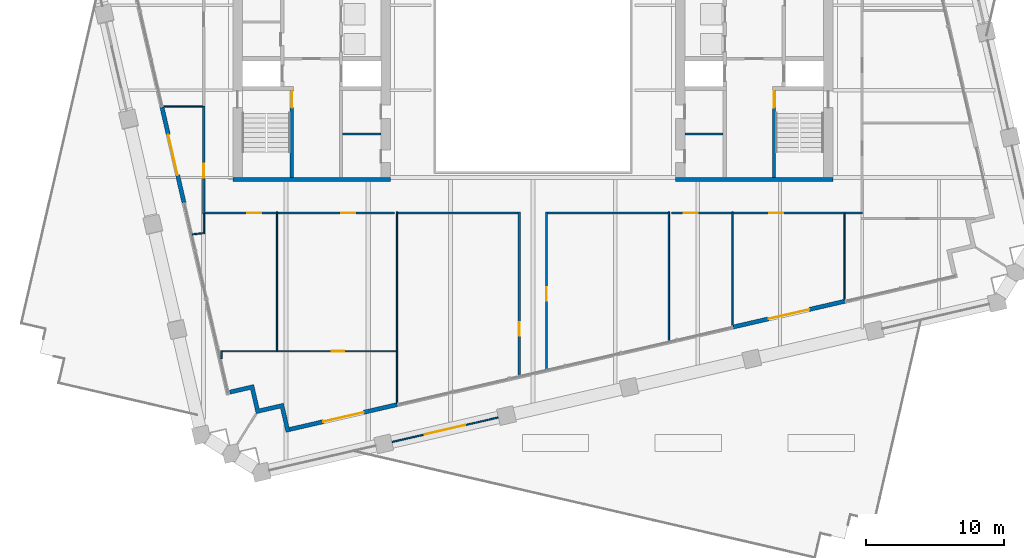
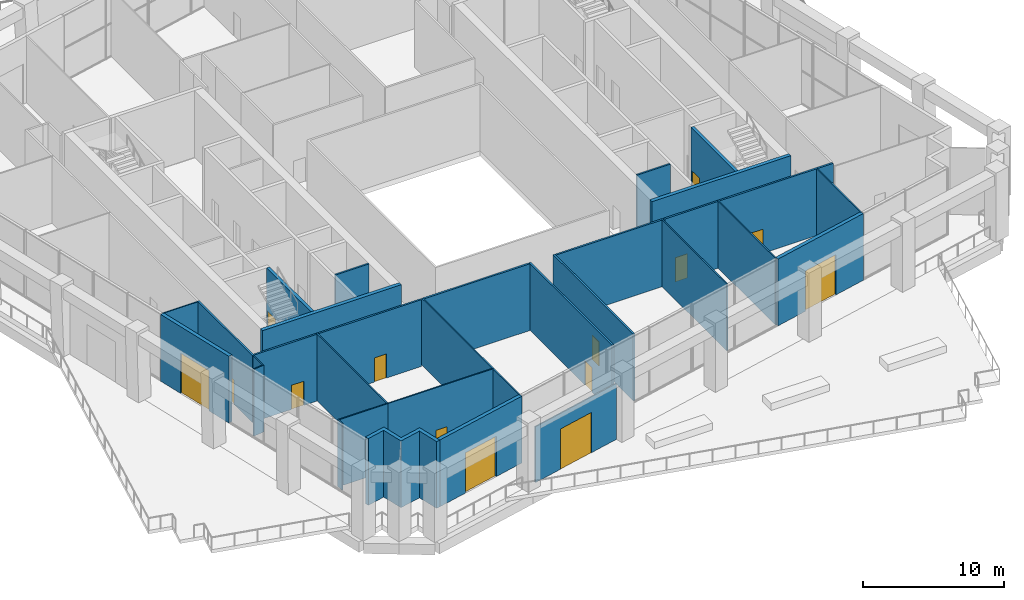
# One storey, part 12 of 24: 33 walls, 14 doors, 14 openings.
"""IFC4 building model written with IfcOpenShell, lengths in metres."""

from ifc_helpers import new_model, si_unit, direction, frame, frame_2d, origin, place, context, subcontext, project, spatial, polyline, rectangle, outline, extrude, material, layer, layer_set, type_object, element, fill, save


model = new_model("IFC4")

# Units and contexts
model_context = context("Model", 3, precision=1e-05, world=origin(), true_north=direction((0.0, 1.0)))
body_context = subcontext(model_context, "Body", "Model", "MODEL_VIEW")
ifc_project = project(units=[si_unit("LENGTHUNIT", "METRE"), si_unit("AREAUNIT", "SQUARE_METRE"), si_unit("VOLUMEUNIT", "CUBIC_METRE"), si_unit("PLANEANGLEUNIT", "RADIAN"), si_unit("MASSUNIT", "GRAM", prefix="KILO")], contexts=[model_context])

# Site, building, storey
site_placement = place(None, origin())
site = spatial("IfcSite", under=ifc_project, at=site_placement, CompositionType="ELEMENT")
building_placement = place(site_placement, origin())
building = spatial("IfcBuilding", under=site, at=building_placement, Name="Ogive Exchange Tower", CompositionType="ELEMENT")
storey_placement = place(building_placement, frame((0.0, 0.0, 165.60009765625)))
storey = spatial("IfcBuildingStorey", under=building, at=storey_placement, Name="L36", CompositionType="ELEMENT", Elevation=165.60009765625)

# Walls
ifc_material_1 = material(Name="Gypsum board partition")
ifc_layer_1 = layer(ifc_material_1, 0.14990234375)
ifc_layer_set_1 = layer_set([ifc_layer_1], Name="Core room partition 150 gypsum")
wall_type_1 = type_object("IfcWallType", Name="Core room partition 150 gypsum", PredefinedType="PARTITIONING", material=ifc_layer_set_1)
for number, where, z_axis, x_axis, name in (
    (1, (-13.75, 0.699951171875, 0.0), (0.0, 0.0, 1.0), (1.0, 0.0, 0.0), "W south room partition"),
    (2, (11.0, 0.699951171875, 0.0), (0.0, 0.0, 1.0), (1.0, 0.0, 0.0), "E south room partition"),
):
    element("IfcWall", number, at=place(storey_placement, frame(where, z_axis=z_axis, x_axis=x_axis)), inside=storey, type_object=wall_type_1, Name=name, PredefinedType="PARTITIONING", context=body_context, shape_type="SweptSolid", body=[
        extrude(rectangle(XDim=2.75, YDim=0.14990234375, at=frame_2d((1.375, 0.0))), origin(), (0.0, 0.0, 1.0), 5.7998046875),
    ])

# Wall, opening, door
ifc_material_2 = material(Name="Fire partition EI 60 150")
ifc_layer_2 = layer(ifc_material_2, 0.14990234375)
ifc_layer_set_2 = layer_set([ifc_layer_2], Name="Fire partition EI 60 150")
wall_type_2 = type_object("IfcWallType", Name="Fire partition EI 60 150", PredefinedType="PARTITIONING", material=ifc_layer_set_2)
wall_1_placement = place(storey_placement, frame((-23.800048828125, -5.074951171875, 0.0), z_axis=(0.0, 0.0, 1.0), x_axis=(0.0, 1.0, 0.0)))
wall_1 = element("IfcWall", 3, at=wall_1_placement, inside=storey, type_object=wall_type_2, Name="L36-PWL-004", PredefinedType="PARTITIONING", context=body_context, shape_type="SweptSolid", body=[
    extrude(rectangle(XDim=7.81494140625, YDim=0.14990234375, at=frame_2d((3.907470703125, 0.0))), origin(), (0.0, 0.0, 1.0), 5.7998046875),
])
opening_1_placement = place(wall_1_placement, frame((2.614990234375, 0.0, 0.0)))
opening_1 = element("IfcOpeningElement", 4, at=opening_1_placement, cuts=wall_1, Name="Opening L36-I10", PredefinedType="OPENING", context=body_context, shape_type="SweptSolid", body=[
    extrude(rectangle(XDim=1.0, YDim=2.10009765625, at=frame_2d((0.5, 1.050048828125))), frame((0.0, 0.0849609375, 0.0), z_axis=(0.0, -1.0, 0.0), x_axis=(1.0, 0.0, 0.0)), (0.0, 0.0, 1.0), 0.169921875),
])
ifc_material_3 = material(Name="Fire door FD 30S 1000 x 2100")
door_type_1 = type_object("IfcDoorType", Name="Fire door FD 30S 1000 x 2100", OperationType="NOTDEFINED", PredefinedType="DOOR", material=ifc_material_3)
door_1_placement = place(opening_1_placement, origin())
door_1 = element("IfcDoor", 5, at=door_1_placement, inside=storey, type_object=door_type_1, Name="L36-IDR-010", ObjectType="DT3", OperationType="SINGLE_SWING_RIGHT", OverallHeight=2.10009765625, OverallWidth=1.0, PredefinedType="DOOR", context=body_context, shape_type="SweptSolid", body=[
    extrude(rectangle(XDim=1.0, YDim=2.10009765625, at=frame_2d((0.5, 1.050048828125))), frame((0.0, 0.02490234375, 0.0), z_axis=(0.0, -1.0, 0.0), x_axis=(1.0, 0.0, 0.0)), (0.0, 0.0, 1.0), 0.050048828125),
])
fill(opening_1, door_1)

wall_2_placement = place(storey_placement, frame((-18.550048828125, -5.0, 0.0), z_axis=(0.0, 0.0, 1.0), x_axis=(-1.0, 0.0, 0.0)))
wall_2 = element("IfcWall", 6, at=wall_2_placement, inside=storey, type_object=wall_type_2, Name="L36-PWL-017", PredefinedType="PARTITIONING", context=body_context, shape_type="SweptSolid", body=[
    extrude(rectangle(XDim=5.1650390625, YDim=0.14990234375, at=frame_2d((2.58251953125, 0.0))), origin(), (0.0, 0.0, 1.0), 5.7998046875),
])
opening_2_placement = place(wall_2_placement, frame((1.090087890625, 0.0, 0.0)))
opening_2 = element("IfcOpeningElement", 7, at=opening_2_placement, cuts=wall_2, Name="Opening L36-I12", PredefinedType="OPENING", context=body_context, shape_type="SweptSolid", body=[
    extrude(rectangle(XDim=1.0, YDim=2.10009765625, at=frame_2d((0.5, 1.050048828125))), frame((0.0, 0.0849609375, 0.0), z_axis=(0.0, -1.0, 0.0), x_axis=(1.0, 0.0, 0.0)), (0.0, 0.0, 1.0), 0.169921875),
])
door_2_placement = place(opening_2_placement, origin())
door_2 = element("IfcDoor", 8, at=door_2_placement, inside=storey, type_object=door_type_1, Name="L36-IDR-012", ObjectType="DT3", OperationType="SINGLE_SWING_RIGHT", OverallHeight=2.10009765625, OverallWidth=1.0, PredefinedType="DOOR", context=body_context, shape_type="SweptSolid", body=[
    extrude(rectangle(XDim=1.0, YDim=2.10009765625, at=frame_2d((0.5, 1.050048828125))), frame((0.0, 0.02490234375, 0.0), z_axis=(0.0, -1.0, 0.0), x_axis=(1.0, 0.0, 0.0)), (0.0, 0.0, 1.0), 0.050048828125),
])
fill(opening_2, door_2)

wall_3_placement = place(storey_placement, frame((-10.0, -5.0, 0.0), z_axis=(0.0, 0.0, 1.0), x_axis=(-1.0, 0.0, 0.0)))
wall_3 = element("IfcWall", 9, at=wall_3_placement, inside=storey, type_object=wall_type_2, Name="L36-PWL-019", PredefinedType="PARTITIONING", context=body_context, shape_type="SweptSolid", body=[
    extrude(rectangle(XDim=8.449951171875, YDim=0.14990234375, at=frame_2d((4.22509765625, 0.0))), origin(), (0.0, 0.0, 1.0), 5.7998046875),
])
opening_3_placement = place(wall_3_placement, frame((2.85009765625, 0.0, 0.0)))
opening_3 = element("IfcOpeningElement", 10, at=opening_3_placement, cuts=wall_3, Name="Opening L36-I11", PredefinedType="OPENING", context=body_context, shape_type="SweptSolid", body=[
    extrude(rectangle(XDim=1.0, YDim=2.10009765625, at=frame_2d((0.5, 1.050048828125))), frame((0.0, 0.0849609375, 0.0), z_axis=(0.0, -1.0, 0.0), x_axis=(1.0, 0.0, 0.0)), (0.0, 0.0, 1.0), 0.169921875),
])
door_3_placement = place(opening_3_placement, origin())
door_3 = element("IfcDoor", 11, at=door_3_placement, inside=storey, type_object=door_type_1, Name="L36-IDR-011", ObjectType="DT3", OperationType="SINGLE_SWING_RIGHT", OverallHeight=2.10009765625, OverallWidth=1.0, PredefinedType="DOOR", context=body_context, shape_type="SweptSolid", body=[
    extrude(rectangle(XDim=1.0, YDim=2.10009765625, at=frame_2d((0.5, 1.050048828125))), frame((0.0, 0.02490234375, 0.0), z_axis=(0.0, -1.0, 0.0), x_axis=(1.0, 0.0, 0.0)), (0.0, 0.0, 1.0), 0.050048828125),
])
fill(opening_3, door_3)

wall_4_placement = place(storey_placement, frame((-0.989990234375, -16.7529296875, 0.0), z_axis=(0.0, 0.0, 1.0), x_axis=(0.0, 1.0, 0.0)))
wall_4 = element("IfcWall", 12, at=wall_4_placement, inside=storey, type_object=wall_type_2, Name="L36-PWL-033", PredefinedType="PARTITIONING", context=body_context, shape_type="SweptSolid", body=[
    extrude(rectangle(XDim=11.827880859375, YDim=0.14990234375, at=frame_2d((5.9140625, 0.0))), origin(), (0.0, 0.0, 1.0), 5.7998046875),
])
opening_4_placement = place(wall_4_placement, frame((2.85302734375, 0.0, 0.0)))
opening_4 = element("IfcOpeningElement", 13, at=opening_4_placement, cuts=wall_4, Name="Opening L36-I09", PredefinedType="OPENING", context=body_context, shape_type="SweptSolid", body=[
    extrude(rectangle(XDim=1.0, YDim=2.10009765625, at=frame_2d((0.5, 1.050048828125))), frame((0.0, 0.0849609375, 0.0), z_axis=(0.0, -1.0, 0.0), x_axis=(1.0, 0.0, 0.0)), (0.0, 0.0, 1.0), 0.169921875),
])
door_4_placement = place(opening_4_placement, origin())
door_4 = element("IfcDoor", 14, at=door_4_placement, inside=storey, type_object=door_type_1, Name="L36-IDR-009", ObjectType="DT3", OperationType="SINGLE_SWING_LEFT", OverallHeight=2.10009765625, OverallWidth=1.0, PredefinedType="DOOR", context=body_context, shape_type="SweptSolid", body=[
    extrude(rectangle(XDim=1.0, YDim=2.10009765625, at=frame_2d((0.5, 1.050048828125))), frame((0.0, 0.02490234375, 0.0), z_axis=(0.0, -1.0, 0.0), x_axis=(1.0, 0.0, 0.0)), (0.0, 0.0, 1.0), 0.050048828125),
])
fill(opening_4, door_4)

# Wall
wall_5_placement = place(storey_placement, frame((-1.06494140625, -5.0, 0.0), z_axis=(0.0, 0.0, 1.0), x_axis=(-1.0, 0.0, 0.0)))
element("IfcWall", 15, at=wall_5_placement, inside=storey, type_object=wall_type_2, Name="L36-PWL-034", PredefinedType="PARTITIONING", context=body_context, shape_type="SweptSolid", body=[
    extrude(rectangle(XDim=8.715087890625, YDim=0.14990234375, at=frame_2d((4.357421875, 0.0))), origin(), (0.0, 0.0, 1.0), 5.7998046875),
])

# Wall, opening, door
wall_6_placement = place(storey_placement, frame((0.989990234375, -4.925048828125, 0.0), z_axis=(0.0, 0.0, 1.0), x_axis=(0.0, -1.0, 0.0)))
wall_6 = element("IfcWall", 16, at=wall_6_placement, inside=storey, type_object=wall_type_2, Name="L36-PWL-038", PredefinedType="PARTITIONING", context=body_context, shape_type="SweptSolid", body=[
    extrude(rectangle(XDim=11.370849609375, YDim=0.14990234375, at=frame_2d((5.685546875, 0.0))), origin(), (0.0, 0.0, 1.0), 5.7998046875),
])
opening_5_placement = place(wall_6_placement, frame((5.445068359375, 0.0, 0.0)))
opening_5 = element("IfcOpeningElement", 17, at=opening_5_placement, cuts=wall_6, Name="Opening L36-I16", PredefinedType="OPENING", context=body_context, shape_type="SweptSolid", body=[
    extrude(rectangle(XDim=1.0, YDim=2.10009765625, at=frame_2d((0.5, 1.050048828125))), frame((0.0, 0.0849609375, 0.0), z_axis=(0.0, -1.0, 0.0), x_axis=(1.0, 0.0, 0.0)), (0.0, 0.0, 1.0), 0.169921875),
])
door_5_placement = place(opening_5_placement, origin())
door_5 = element("IfcDoor", 18, at=door_5_placement, inside=storey, type_object=door_type_1, Name="L36-IDR-016", ObjectType="DT3", OperationType="SINGLE_SWING_LEFT", OverallHeight=2.10009765625, OverallWidth=1.0, PredefinedType="DOOR", context=body_context, shape_type="SweptSolid", body=[
    extrude(rectangle(XDim=1.0, YDim=2.10009765625, at=frame_2d((0.5, 1.050048828125))), frame((0.0, 0.02490234375, 0.0), z_axis=(0.0, -1.0, 0.0), x_axis=(1.0, 0.0, 0.0)), (0.0, 0.0, 1.0), 0.050048828125),
])
fill(opening_5, door_5)

# Wall
wall_7_placement = place(storey_placement, frame((9.780029296875, -5.0, 0.0), z_axis=(0.0, 0.0, 1.0), x_axis=(-1.0, 0.0, 0.0)))
element("IfcWall", 19, at=wall_7_placement, inside=storey, type_object=wall_type_2, Name="L36-PWL-048", PredefinedType="PARTITIONING", context=body_context, shape_type="SweptSolid", body=[
    extrude(rectangle(XDim=8.715087890625, YDim=0.14990234375, at=frame_2d((4.357421875, 0.0))), origin(), (0.0, 0.0, 1.0), 5.7998046875),
])

# Wall, opening, door
wall_8_placement = place(storey_placement, frame((14.3798828125, -5.0, 0.0), z_axis=(0.0, 0.0, 1.0), x_axis=(-1.0, 0.0, 0.0)))
wall_8 = element("IfcWall", 20, at=wall_8_placement, inside=storey, type_object=wall_type_2, Name="L36-PWL-051", PredefinedType="PARTITIONING", context=body_context, shape_type="SweptSolid", body=[
    extrude(rectangle(XDim=4.3798828125, YDim=0.14990234375, at=frame_2d((2.18994140625, 0.0))), origin(), (0.0, 0.0, 1.0), 5.7998046875),
])
opening_6_placement = place(wall_8_placement, frame((2.47998046875, 0.0, 0.0)))
opening_6 = element("IfcOpeningElement", 21, at=opening_6_placement, cuts=wall_8, Name="Opening L36-I15", PredefinedType="OPENING", context=body_context, shape_type="SweptSolid", body=[
    extrude(rectangle(XDim=1.0, YDim=2.10009765625, at=frame_2d((0.5, 1.050048828125))), frame((0.0, 0.0849609375, 0.0), z_axis=(0.0, -1.0, 0.0), x_axis=(1.0, 0.0, 0.0)), (0.0, 0.0, 1.0), 0.169921875),
])
door_6_placement = place(opening_6_placement, origin())
door_6 = element("IfcDoor", 22, at=door_6_placement, inside=storey, type_object=door_type_1, Name="L36-IDR-015", ObjectType="DT3", OperationType="SINGLE_SWING_LEFT", OverallHeight=2.10009765625, OverallWidth=1.0, PredefinedType="DOOR", context=body_context, shape_type="SweptSolid", body=[
    extrude(rectangle(XDim=1.0, YDim=2.10009765625, at=frame_2d((0.5, 1.050048828125))), frame((0.0, 0.02490234375, 0.0), z_axis=(0.0, -1.0, 0.0), x_axis=(1.0, 0.0, 0.0)), (0.0, 0.0, 1.0), 0.050048828125),
])
fill(opening_6, door_6)

wall_9_placement = place(storey_placement, frame((22.570068359375, -5.0, 0.0), z_axis=(0.0, 0.0, 1.0), x_axis=(-1.0, 0.0, 0.0)))
wall_9 = element("IfcWall", 23, at=wall_9_placement, inside=storey, type_object=wall_type_2, Name="L36-PWL-059", PredefinedType="PARTITIONING", context=body_context, shape_type="SweptSolid", body=[
    extrude(rectangle(XDim=8.090087890625, YDim=0.14990234375, at=frame_2d((4.044921875, 0.0))), origin(), (0.0, 0.0, 1.0), 5.7998046875),
])
opening_7_placement = place(wall_9_placement, frame((4.489990234375, 0.0, 0.0)))
opening_7 = element("IfcOpeningElement", 24, at=opening_7_placement, cuts=wall_9, Name="Opening L36-I14", PredefinedType="OPENING", context=body_context, shape_type="SweptSolid", body=[
    extrude(rectangle(XDim=1.0, YDim=2.10009765625, at=frame_2d((0.5, 1.050048828125))), frame((0.0, 0.0849609375, 0.0), z_axis=(0.0, -1.0, 0.0), x_axis=(1.0, 0.0, 0.0)), (0.0, 0.0, 1.0), 0.169921875),
])
door_7_placement = place(opening_7_placement, origin())
door_7 = element("IfcDoor", 25, at=door_7_placement, inside=storey, type_object=door_type_1, Name="L36-IDR-014", ObjectType="DT3", OperationType="SINGLE_SWING_LEFT", OverallHeight=2.10009765625, OverallWidth=1.0, PredefinedType="DOOR", context=body_context, shape_type="SweptSolid", body=[
    extrude(rectangle(XDim=1.0, YDim=2.10009765625, at=frame_2d((0.5, 1.050048828125))), frame((0.0, 0.02490234375, 0.0), z_axis=(0.0, -1.0, 0.0), x_axis=(1.0, 0.0, 0.0)), (0.0, 0.0, 1.0), 0.050048828125),
])
fill(opening_7, door_7)

# Wall
wall_10_placement = place(storey_placement, frame((23.840087890625, -5.0, 0.0), z_axis=(0.0, 0.0, 1.0), x_axis=(-1.0, 0.0, 0.0)))
element("IfcWall", 26, at=wall_10_placement, inside=storey, type_object=wall_type_2, Name="L36-PWL-065", PredefinedType="PARTITIONING", context=body_context, shape_type="SweptSolid", body=[
    extrude(rectangle(XDim=1.27001953125, YDim=0.14990234375, at=frame_2d((0.635009765625, 0.0))), origin(), (0.0, 0.0, 1.0), 5.7998046875),
])

# Wall, opening, door
ifc_material_4 = material(Name="Precast concrete C40/50", Category="concrete")
ifc_layer_3 = layer(ifc_material_4, 0.300048828125)
ifc_layer_set_3 = layer_set([ifc_layer_3], Name="Limestone-faced wall 300")
wall_type_3 = type_object("IfcWallType", Name="Limestone-faced wall 300", PredefinedType="STANDARD", material=ifc_layer_set_3)
wall_11_placement = place(storey_placement, frame((-17.592041015625, -20.6572265625, 0.0), z_axis=(0.0, 0.0, 1.0), x_axis=(0.974371132389, 0.224946429994, 0.0)))
wall_11 = element("IfcWall", 27, at=wall_11_placement, inside=storey, type_object=wall_type_3, Name="External wall S1", PredefinedType="STANDARD", context=body_context, shape_type="SweptSolid", body=[
    extrude(rectangle(XDim=8.0, YDim=0.300048828125, at=frame_2d((4.0, 0.0))), origin(), (0.0, 0.0, 1.0), 5.7998046875),
])
opening_8_placement = place(wall_11_placement, frame((2.5, 0.0, 0.0)))
opening_8 = element("IfcOpeningElement", 28, at=opening_8_placement, cuts=wall_11, Name="Opening D2", PredefinedType="OPENING", context=body_context, shape_type="SweptSolid", body=[
    extrude(rectangle(XDim=3.0, YDim=3.5, at=frame_2d((1.5, 1.75))), frame((0.0, 0.159912109375, 0.0), z_axis=(0.0, -1.0, 0.0), x_axis=(1.0, 0.0, 0.0)), (0.0, 0.0, 1.0), 0.320068359375),
])
ifc_material_5 = material(Name="Clear glass in bronze frame", Category="glass")
door_type_2 = type_object("IfcDoorType", Name="Winter garden sliding door 3000 x 3500", OperationType="DOUBLE_DOOR_SLIDING", PredefinedType="DOOR", material=ifc_material_5)
door_8_placement = place(opening_8_placement, origin())
door_8 = element("IfcDoor", 29, at=door_8_placement, inside=storey, type_object=door_type_2, Name="Loggia door S00", OperationType="DOUBLE_DOOR_SLIDING", OverallHeight=3.5, OverallWidth=3.0, PredefinedType="DOOR", context=body_context, shape_type="SweptSolid", body=[
    extrude(rectangle(XDim=3.0, YDim=3.5, at=frame_2d((1.5, 1.75))), frame((0.0, 0.02490234375, 0.0), z_axis=(0.0, -1.0, 0.0), x_axis=(1.0, 0.0, 0.0)), (0.0, 0.0, 1.0), 0.050048828125),
])
fill(opening_8, door_8)

wall_12_placement = place(storey_placement, frame((14.464599609375, -13.25634765625, 0.0), z_axis=(0.0, 0.0, 1.0), x_axis=(0.974368386566, 0.224958323385, 0.0)))
wall_12 = element("IfcWall", 30, at=wall_12_placement, inside=storey, type_object=wall_type_3, Name="External wall S2", PredefinedType="STANDARD", context=body_context, shape_type="SweptSolid", body=[
    extrude(rectangle(XDim=8.300048828125, YDim=0.300048828125, at=frame_2d((4.14990234375, 0.0))), origin(), (0.0, 0.0, 1.0), 5.7998046875),
])
opening_9_placement = place(wall_12_placement, frame((2.64990234375, 0.0, 0.0)))
opening_9 = element("IfcOpeningElement", 31, at=opening_9_placement, cuts=wall_12, Name="Opening D2", PredefinedType="OPENING", context=body_context, shape_type="SweptSolid", body=[
    extrude(rectangle(XDim=3.0, YDim=3.5, at=frame_2d((1.5, 1.75))), frame((0.0, 0.159912109375, 0.0), z_axis=(0.0, -1.0, 0.0), x_axis=(1.0, 0.0, 0.0)), (0.0, 0.0, 1.0), 0.320068359375),
])
door_9_placement = place(opening_9_placement, origin())
door_9 = element("IfcDoor", 32, at=door_9_placement, inside=storey, type_object=door_type_2, Name="Loggia door S04", OperationType="DOUBLE_DOOR_SLIDING", OverallHeight=3.5, OverallWidth=3.0, PredefinedType="DOOR", context=body_context, shape_type="SweptSolid", body=[
    extrude(rectangle(XDim=3.0, YDim=3.5, at=frame_2d((1.5, 1.75))), frame((0.0, 0.02490234375, 0.0), z_axis=(0.0, -1.0, 0.0), x_axis=(1.0, 0.0, 0.0)), (0.0, 0.0, 1.0), 0.050048828125),
])
fill(opening_9, door_9)

wall_13_placement = place(storey_placement, frame((-26.8232421875, 2.65673828125, 0.0), z_axis=(0.0, 0.0, 1.0), x_axis=(0.22494221161, -0.974372106249, 0.0)))
wall_13 = element("IfcWall", 33, at=wall_13_placement, inside=storey, type_object=wall_type_3, Name="External wall W8", PredefinedType="STANDARD", context=body_context, shape_type="SweptSolid", body=[
    extrude(rectangle(XDim=7.114501953125, YDim=0.300048828125, at=frame_2d((3.55712890625, 0.0))), origin(), (0.0, 0.0, 1.0), 5.7998046875),
])
opening_10_placement = place(wall_13_placement, frame((2.05712890625, 0.0, 0.0)))
opening_10 = element("IfcOpeningElement", 34, at=opening_10_placement, cuts=wall_13, Name="Opening D2", PredefinedType="OPENING", context=body_context, shape_type="SweptSolid", body=[
    extrude(rectangle(XDim=3.0, YDim=3.5, at=frame_2d((1.5, 1.75))), frame((0.0, 0.159912109375, 0.0), z_axis=(0.0, -1.0, 0.0), x_axis=(1.0, 0.0, 0.0)), (0.0, 0.0, 1.0), 0.320068359375),
])
door_10_placement = place(opening_10_placement, origin())
door_10 = element("IfcDoor", 35, at=door_10_placement, inside=storey, type_object=door_type_2, Name="Loggia door W04", OperationType="DOUBLE_DOOR_SLIDING", OverallHeight=3.5, OverallWidth=3.0, PredefinedType="DOOR", context=body_context, shape_type="SweptSolid", body=[
    extrude(rectangle(XDim=3.0, YDim=3.5, at=frame_2d((1.5, 1.75))), frame((0.0, 0.02490234375, 0.0), z_axis=(0.0, -1.0, 0.0), x_axis=(1.0, 0.0, 0.0)), (0.0, 0.0, 1.0), 0.050048828125),
])
fill(opening_10, door_10)

# Wall
wall_14_placement = place(storey_placement, origin())
element("IfcWall", 36, at=wall_14_placement, inside=storey, type_object=wall_type_3, Name="External corner wall C4", PredefinedType="STANDARD", context=body_context, shape_type="SweptSolid", body=[
    extrude(outline(polyline([(-18.255615234375, -19.116943359375), (-20.009521484375, -19.52197265625), (-20.414306640625, -17.76806640625), (-21.8759765625, -18.10546875), (-21.943359375, -17.81298828125), (-20.189697265625, -17.408203125), (-19.78466796875, -19.162109375), (-18.03076171875, -18.757080078125), (-17.558349609375, -20.80322265625), (-17.8505859375, -20.870849609375), (-18.255615234375, -19.116943359375)])), origin(), (0.0, 0.0, 1.0), 5.7998046875),
])

# Wall, opening, door
ifc_material_6 = material(Name="Laminated safety glass in steel frame", Category="steel")
ifc_layer_4 = layer(ifc_material_6, 0.10009765625)
ifc_layer_set_4 = layer_set([ifc_layer_4], Name="Loggia end screen 100")
wall_type_4 = type_object("IfcWallType", Name="Loggia end screen 100", PredefinedType="STANDARD", material=ifc_layer_set_4)
wall_15_placement = place(storey_placement, frame((-10.178466796875, -21.562744140625, 0.0), z_axis=(0.0, 0.0, 1.0), x_axis=(0.974370774795, 0.22494797893, 0.0)))
wall_15 = element("IfcWall", 37, at=wall_15_placement, inside=storey, type_object=wall_type_4, Name="Terrace screen S01", PredefinedType="STANDARD", context=body_context, shape_type="SweptSolid", body=[
    extrude(rectangle(XDim=7.85986328125, YDim=0.10009765625, at=frame_2d((3.929931640625, 0.0))), origin(), (0.0, 0.0, 1.0), 4.849853515625),
])
opening_11_placement = place(wall_15_placement, frame((2.429931640625, 0.0, 0.0)))
opening_11 = element("IfcOpeningElement", 38, at=opening_11_placement, cuts=wall_15, Name="Opening D4", PredefinedType="OPENING", context=body_context, shape_type="SweptSolid", body=[
    extrude(rectangle(XDim=3.0, YDim=3.5, at=frame_2d((1.5, 1.75))), frame((0.0, 0.06005859375, 0.0), z_axis=(0.0, -1.0, 0.0), x_axis=(1.0, 0.0, 0.0)), (0.0, 0.0, 1.0), 0.1201171875),
])
door_type_3 = type_object("IfcDoorType", Name="Terrace sliding door 3000 x 3500", OperationType="DOUBLE_DOOR_SLIDING", PredefinedType="DOOR", material=ifc_material_5)
door_11_placement = place(opening_11_placement, origin())
door_11 = element("IfcDoor", 39, at=door_11_placement, inside=storey, type_object=door_type_3, Name="Terrace door S01", OperationType="DOUBLE_DOOR_SLIDING", OverallHeight=3.5, OverallWidth=3.0, PredefinedType="DOOR", context=body_context, shape_type="SweptSolid", body=[
    extrude(rectangle(XDim=3.0, YDim=3.5, at=frame_2d((1.5, 1.75))), frame((0.0, 0.02490234375, 0.0), z_axis=(0.0, -1.0, 0.0), x_axis=(1.0, 0.0, 0.0)), (0.0, 0.0, 1.0), 0.050048828125),
])
fill(opening_11, door_11)

# Walls
ifc_material_7 = material(Name="Partition 100 gypsum")
ifc_layer_5 = layer(ifc_material_7, 0.10009765625)
ifc_layer_set_5 = layer_set([ifc_layer_5], Name="Partition 100 gypsum")
wall_type_5 = type_object("IfcWallType", Name="Partition 100 gypsum", PredefinedType="PARTITIONING", material=ifc_layer_set_5)
wall_16_placement = place(storey_placement, frame((-24.625, -6.555908203125, 0.0), z_axis=(0.0, 0.0, 1.0), x_axis=(0.993448484477, 0.114280832559, 0.0)))
element("IfcWall", 40, at=wall_16_placement, inside=storey, type_object=wall_type_5, Name="L36-PWL-003", PredefinedType="PARTITIONING", context=body_context, shape_type="SweptSolid", body=[
    extrude(rectangle(XDim=0.890869140625, YDim=0.10009765625, at=frame_2d((0.4453125, 0.0))), origin(), (0.0, 0.0, 1.0), 5.7998046875),
])
wall_17_placement = place(storey_placement, frame((-23.875, 2.68994140625, 0.0), z_axis=(0.0, 0.0, 1.0), x_axis=(-1.0, 0.0, 0.0)))
element("IfcWall", 41, at=wall_17_placement, inside=storey, type_object=wall_type_5, Name="L36-PWL-005", PredefinedType="PARTITIONING", context=body_context, shape_type="SweptSolid", body=[
    extrude(rectangle(XDim=2.885009765625, YDim=0.10009765625, at=frame_2d((1.4423828125, 0.0))), origin(), (0.0, 0.0, 1.0), 5.7998046875),
])
wall_18_placement = place(storey_placement, frame((-23.7900390625, -5.074951171875, 0.0), z_axis=(0.0, 0.0, 1.0), x_axis=(0.0, -1.0, 0.0)))
element("IfcWall", 42, at=wall_18_placement, inside=storey, type_object=wall_type_5, Name="L36-PWL-010", PredefinedType="PARTITIONING", context=body_context, shape_type="SweptSolid", body=[
    extrude(rectangle(XDim=1.3349609375, YDim=0.10009765625, at=frame_2d((0.66748046875, 0.0))), origin(), (0.0, 0.0, 1.0), 5.7998046875),
])
wall_19_placement = place(storey_placement, frame((-22.52001953125, -14.949951171875, 0.0), z_axis=(0.0, 0.0, 1.0), x_axis=(0.0, -1.0, 0.0)))
element("IfcWall", 43, at=wall_19_placement, inside=storey, type_object=wall_type_5, Name="L36-PWL-011", PredefinedType="PARTITIONING", context=body_context, shape_type="SweptSolid", body=[
    extrude(rectangle(XDim=0.610107421875, YDim=0.10009765625, at=frame_2d((0.30517578125, 0.0))), origin(), (0.0, 0.0, 1.0), 5.7998046875),
])
wall_20_placement = place(storey_placement, frame((-18.5, -15.0, 0.0), z_axis=(0.0, 0.0, 1.0), x_axis=(-1.0, 0.0, 0.0)))
element("IfcWall", 44, at=wall_20_placement, inside=storey, type_object=wall_type_5, Name="L36-PWL-015", PredefinedType="PARTITIONING", context=body_context, shape_type="SweptSolid", body=[
    extrude(rectangle(XDim=3.969970703125, YDim=0.10009765625, at=frame_2d((1.98486328125, 0.0))), origin(), (0.0, 0.0, 1.0), 5.7998046875),
])
wall_21_placement = place(storey_placement, frame((-18.5, -14.949951171875, 0.0), z_axis=(0.0, 0.0, 1.0), x_axis=(0.0, 1.0, 0.0)))
element("IfcWall", 45, at=wall_21_placement, inside=storey, type_object=wall_type_5, Name="L36-PWL-016", PredefinedType="PARTITIONING", context=body_context, shape_type="SweptSolid", body=[
    extrude(rectangle(XDim=10.02490234375, YDim=0.10009765625, at=frame_2d((5.012451171875, 0.0))), origin(), (0.0, 0.0, 1.0), 5.7998046875),
])
wall_22_placement = place(storey_placement, frame((-9.830078125, -18.7939453125, 0.0), z_axis=(0.0, 0.0, 1.0), x_axis=(0.0, 1.0, 0.0)))
element("IfcWall", 46, at=wall_22_placement, inside=storey, type_object=wall_type_5, Name="L36-PWL-022", PredefinedType="PARTITIONING", context=body_context, shape_type="SweptSolid", body=[
    extrude(rectangle(XDim=3.7939453125, YDim=0.10009765625, at=frame_2d((1.89697265625, 0.0))), origin(), (0.0, 0.0, 1.0), 5.7998046875),
])

# Wall, opening, door
wall_23_placement = place(storey_placement, frame((-9.8798828125, -15.0, 0.0), z_axis=(0.0, 0.0, 1.0), x_axis=(-1.0, 0.0, 0.0)))
wall_23 = element("IfcWall", 47, at=wall_23_placement, inside=storey, type_object=wall_type_5, Name="L36-PWL-023", PredefinedType="PARTITIONING", context=body_context, shape_type="SweptSolid", body=[
    extrude(rectangle(XDim=8.6201171875, YDim=0.10009765625, at=frame_2d((4.31005859375, 0.0))), origin(), (0.0, 0.0, 1.0), 5.7998046875),
])
opening_12_placement = place(wall_23_placement, frame((3.77001953125, 0.0, 0.0)))
opening_12 = element("IfcOpeningElement", 48, at=opening_12_placement, cuts=wall_23, Name="Opening L36-I13", PredefinedType="OPENING", context=body_context, shape_type="SweptSolid", body=[
    extrude(rectangle(XDim=0.89990234375, YDim=2.10009765625, at=frame_2d((0.449951171875, 1.050048828125))), frame((0.0, 0.06005859375, 0.0), z_axis=(0.0, -1.0, 0.0), x_axis=(1.0, 0.0, 0.0)), (0.0, 0.0, 1.0), 0.1201171875),
])
ifc_material_8 = material(Name="Door 900 x 2100")
door_type_4 = type_object("IfcDoorType", Name="Door 900 x 2100", OperationType="NOTDEFINED", PredefinedType="DOOR", material=ifc_material_8)
door_12_placement = place(opening_12_placement, origin())
door_12 = element("IfcDoor", 49, at=door_12_placement, inside=storey, type_object=door_type_4, Name="L36-IDR-013", ObjectType="DT1", OperationType="SINGLE_SWING_RIGHT", OverallHeight=2.10009765625, OverallWidth=0.89990234375, PredefinedType="DOOR", context=body_context, shape_type="SweptSolid", body=[
    extrude(rectangle(XDim=0.89990234375, YDim=2.10009765625, at=frame_2d((0.449951171875, 1.050048828125))), frame((0.0, 0.02490234375, 0.0), z_axis=(0.0, -1.0, 0.0), x_axis=(1.0, 0.0, 0.0)), (0.0, 0.0, 1.0), 0.050048828125),
])
fill(opening_12, door_12)

# Walls
wall_24_placement = place(storey_placement, frame((-9.830078125, -15.0, 0.0), z_axis=(0.0, 0.0, 1.0), x_axis=(0.0, 1.0, 0.0)))
element("IfcWall", 50, at=wall_24_placement, inside=storey, type_object=wall_type_5, Name="L36-PWL-024", PredefinedType="PARTITIONING", context=body_context, shape_type="SweptSolid", body=[
    extrude(rectangle(XDim=10.074951171875, YDim=0.10009765625, at=frame_2d((5.03759765625, 0.0))), origin(), (0.0, 0.0, 1.0), 5.7998046875),
])
wall_25_placement = place(storey_placement, frame((9.830078125, -14.2548828125, 0.0), z_axis=(0.0, 0.0, 1.0), x_axis=(0.0, 1.0, 0.0)))
element("IfcWall", 51, at=wall_25_placement, inside=storey, type_object=wall_type_5, Name="L36-PWL-047", PredefinedType="PARTITIONING", context=body_context, shape_type="SweptSolid", body=[
    extrude(rectangle(XDim=9.329833984375, YDim=0.10009765625, at=frame_2d((4.6650390625, 0.0))), origin(), (0.0, 0.0, 1.0), 5.7998046875),
])
wall_26_placement = place(storey_placement, frame((14.429931640625, -13.193115234375, 0.0), z_axis=(0.0, 0.0, 1.0), x_axis=(0.0, 1.0, 0.0)))
element("IfcWall", 52, at=wall_26_placement, inside=storey, type_object=wall_type_5, Name="L36-PWL-050", PredefinedType="PARTITIONING", context=body_context, shape_type="SweptSolid", body=[
    extrude(rectangle(XDim=8.26806640625, YDim=0.10009765625, at=frame_2d((4.134033203125, 0.0))), origin(), (0.0, 0.0, 1.0), 5.7998046875),
])
wall_27_placement = place(storey_placement, frame((22.52001953125, -5.074951171875, 0.0), z_axis=(0.0, 0.0, 1.0), x_axis=(0.0, -1.0, 0.0)))
element("IfcWall", 53, at=wall_27_placement, inside=storey, type_object=wall_type_5, Name="L36-PWL-060", PredefinedType="PARTITIONING", context=body_context, shape_type="SweptSolid", body=[
    extrude(rectangle(XDim=6.25, YDim=0.10009765625, at=frame_2d((3.125, 0.0))), origin(), (0.0, 0.0, 1.0), 5.7998046875),
])

# Wall, opening, door
ifc_material_9 = material(Name="Concrete C70/85", Category="concrete")
ifc_layer_6 = layer(ifc_material_9, 0.25)
ifc_layer_set_6 = layer_set([ifc_layer_6], Name="RC core wall 250 C70/85")
wall_type_6 = type_object("IfcWallType", Name="RC core wall 250 C70/85", PredefinedType="SHEAR", material=ifc_layer_set_6)
wall_28_placement = place(storey_placement, frame((-17.425048828125, -2.449951171875, 0.0), z_axis=(0.0, 0.0, 1.0), x_axis=(0.0, 1.0, 0.0)))
wall_28 = element("IfcWall", 54, at=wall_28_placement, inside=storey, type_object=wall_type_6, Name="W stair S front wall", PredefinedType="SHEAR", context=body_context, shape_type="SweptSolid", body=[
    extrude(rectangle(XDim=6.300048828125, YDim=0.25, at=frame_2d((3.14990234375, 0.0))), origin(), (0.0, 0.0, 1.0), 5.7998046875),
])
opening_13_placement = place(wall_28_placement, frame((5.050048828125, 0.0, 0.0)))
opening_13 = element("IfcOpeningElement", 55, at=opening_13_placement, cuts=wall_28, Name="Opening L36-C14", PredefinedType="OPENING", context=body_context, shape_type="SweptSolid", body=[
    extrude(rectangle(XDim=1.199951171875, YDim=2.10009765625, at=frame_2d((0.60009765625, 1.050048828125))), frame((0.0, 0.135009765625, 0.0), z_axis=(0.0, -1.0, 0.0), x_axis=(1.0, 0.0, 0.0)), (0.0, 0.0, 1.0), 0.27001953125),
])
ifc_material_10 = material(Name="Steel fire door", Category="steel")
door_type_5 = type_object("IfcDoorType", Name="Stair door FD90 1200 x 2100", OperationType="NOTDEFINED", PredefinedType="DOOR", material=ifc_material_10)
door_13_placement = place(opening_13_placement, origin())
door_13 = element("IfcDoor", 56, at=door_13_placement, inside=storey, type_object=door_type_5, Name="Stair door", ObjectType="CD5", OperationType="SINGLE_SWING_LEFT", OverallHeight=2.10009765625, OverallWidth=1.199951171875, PredefinedType="DOOR", context=body_context, shape_type="SweptSolid", body=[
    extrude(rectangle(XDim=1.199951171875, YDim=2.10009765625, at=frame_2d((0.60009765625, 1.050048828125))), frame((0.0, 0.02490234375, 0.0), z_axis=(0.0, -1.0, 0.0), x_axis=(1.0, 0.0, 0.0)), (0.0, 0.0, 1.0), 0.050048828125),
])
fill(opening_13, door_13)

wall_29_placement = place(storey_placement, frame((17.425048828125, -2.449951171875, 0.0), z_axis=(0.0, 0.0, 1.0), x_axis=(0.0, 1.0, 0.0)))
wall_29 = element("IfcWall", 57, at=wall_29_placement, inside=storey, type_object=wall_type_6, Name="E stair S front wall", PredefinedType="SHEAR", context=body_context, shape_type="SweptSolid", body=[
    extrude(rectangle(XDim=6.300048828125, YDim=0.25, at=frame_2d((3.14990234375, 0.0))), origin(), (0.0, 0.0, 1.0), 5.7998046875),
])
opening_14_placement = place(wall_29_placement, frame((5.050048828125, 0.0, 0.0)))
opening_14 = element("IfcOpeningElement", 58, at=opening_14_placement, cuts=wall_29, Name="Opening L36-C31", PredefinedType="OPENING", context=body_context, shape_type="SweptSolid", body=[
    extrude(rectangle(XDim=1.199951171875, YDim=2.10009765625, at=frame_2d((0.60009765625, 1.050048828125))), frame((0.0, 0.135009765625, 0.0), z_axis=(0.0, -1.0, 0.0), x_axis=(1.0, 0.0, 0.0)), (0.0, 0.0, 1.0), 0.27001953125),
])
door_14_placement = place(opening_14_placement, frame((1.199951171875, 0.0, 0.0), z_axis=(0.0, 0.0, 1.0), x_axis=(-1.0, 0.0, 0.0)))
door_14 = element("IfcDoor", 59, at=door_14_placement, inside=storey, type_object=door_type_5, Name="Stair door", ObjectType="CD5", OperationType="SINGLE_SWING_RIGHT", OverallHeight=2.10009765625, OverallWidth=1.199951171875, PredefinedType="DOOR", context=body_context, shape_type="SweptSolid", body=[
    extrude(rectangle(XDim=1.199951171875, YDim=2.10009765625, at=frame_2d((0.60009765625, 1.050048828125))), frame((0.0, 0.02490234375, 0.0), z_axis=(0.0, -1.0, 0.0), x_axis=(1.0, 0.0, 0.0)), (0.0, 0.0, 1.0), 0.050048828125),
])
fill(opening_14, door_14)

# Walls
ifc_layer_7 = layer(ifc_material_9, 0.300048828125)
ifc_layer_set_7 = layer_set([ifc_layer_7], Name="RC core wall 300 C70/85")
wall_type_7 = type_object("IfcWallType", Name="RC core wall 300 C70/85", PredefinedType="SHEAR", material=ifc_layer_set_7)
for number, where, z_axis, x_axis, name in (
    (60, (-21.699951171875, -2.60009765625, 0.0), (0.0, 0.0, 1.0), (1.0, 0.0, 0.0), "W south end wall"),
    (61, (10.300048828125, -2.60009765625, 0.0), (0.0, 0.0, 1.0), (1.0, 0.0, 0.0), "E south end wall"),
):
    element("IfcWall", number, at=place(storey_placement, frame(where, z_axis=z_axis, x_axis=x_axis)), inside=storey, type_object=wall_type_7, Name=name, PredefinedType="SHEAR", context=body_context, shape_type="SweptSolid", body=[
        extrude(rectangle(XDim=11.39990234375, YDim=0.300048828125, at=frame_2d((5.699951171875, 0.0))), origin(), (0.0, 0.0, 1.0), 5.7998046875),
    ])

save(model, "model.ifc")
